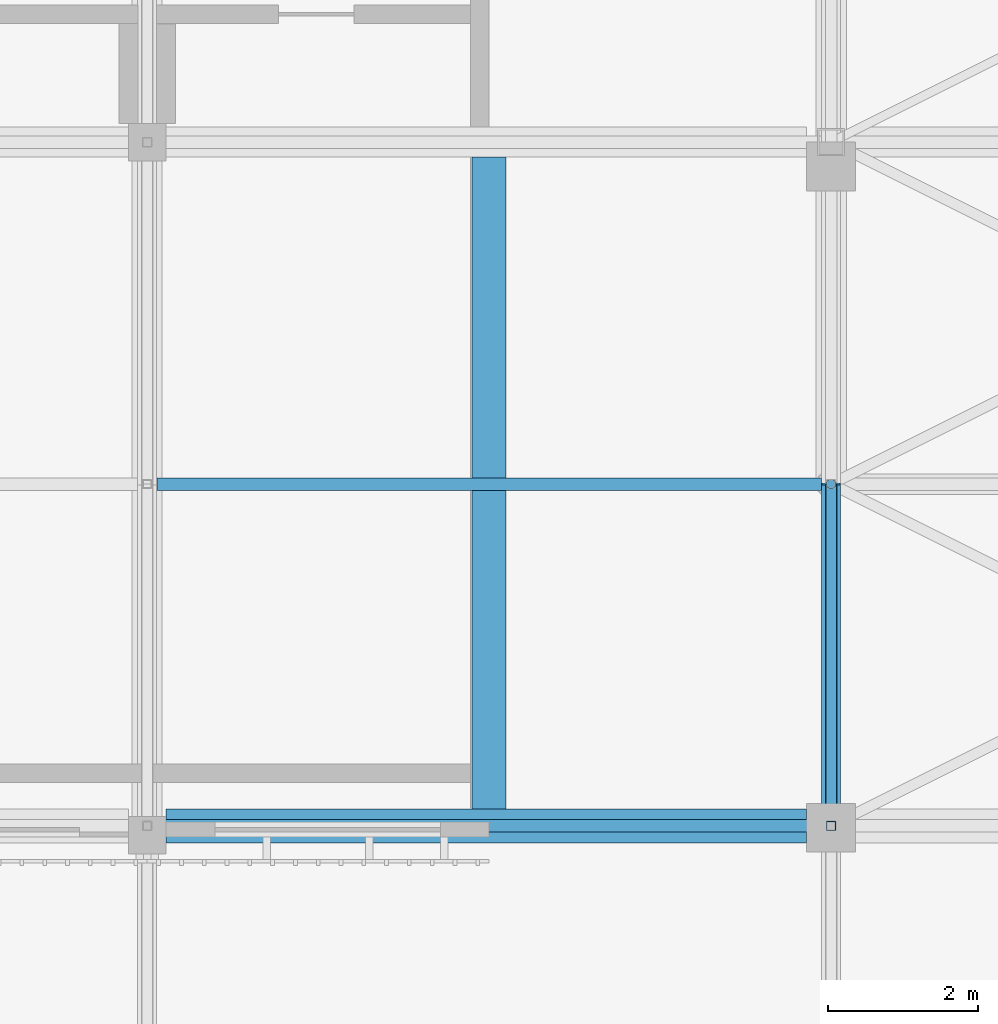
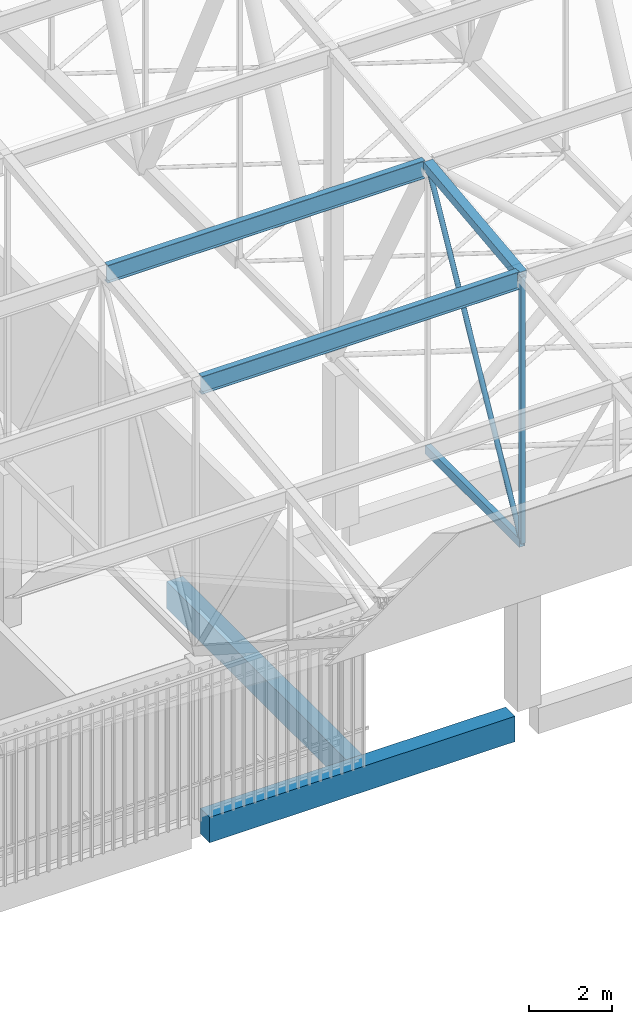
# One storey, part 34 of 500: 6 members, 2 beams.
"""IFC4 building model written with IfcOpenShell, lengths in metres."""

from ifc_helpers import new_model, si_unit, direction, frame, origin, origin_2d, place, context, subcontext, project, spatial, rectangle, hollow_rectangle, hollow_circle, i_section, extrude, material, material_profile, profile_set, type_object, element, save


model = new_model("IFC4")

# Units and contexts
model_context = context("Model", 3, precision=1e-05, world=origin(), true_north=direction((0.0, 1.0)))
body_context = subcontext(model_context, "Body", "Model", "MODEL_VIEW")
ifc_project = project(units=[si_unit("LENGTHUNIT", "METRE"), si_unit("AREAUNIT", "SQUARE_METRE"), si_unit("VOLUMEUNIT", "CUBIC_METRE"), si_unit("PLANEANGLEUNIT", "RADIAN"), si_unit("MASSUNIT", "GRAM", prefix="KILO")], contexts=[model_context])

# Site, building, storey
site_placement = place(None, origin())
site = spatial("IfcSite", under=ifc_project, at=site_placement, CompositionType="ELEMENT")
building_placement = place(site_placement, origin())
building = spatial("IfcBuilding", under=site, at=building_placement, Name="Shirokan Park Arena", CompositionType="ELEMENT")
storey_placement = place(building_placement, frame((0.0, 0.0, 29.1201171875)))
storey = spatial("IfcBuildingStorey", under=building, at=storey_placement, Name="L06", CompositionType="ELEMENT", Elevation=29.1201171875)

# Members
ifc_material_1 = material(Name="Steel ASTM A500 Grade C", Category="steel")
ifc_material_profile_1 = material_profile(ifc_material_1, hollow_rectangle(XDim=0.152099609375, YDim=0.25390625, WallThickness=0.009521484375, at=origin_2d()), Name="HSS254X152.4X9.5")
ifc_profile_set_1 = profile_set([ifc_material_profile_1], Name="Steel ASTM A500 Grade C")
member_type_1 = type_object("IfcMemberType", Name="Bottom chord HSS254X152.4X9.5", PredefinedType="CHORD", material=ifc_profile_set_1)
member_1_placement = place(storey_placement, frame((45.5, 0.0, 4.677001953125), z_axis=(0.0, 1.0, 0.0), x_axis=(-1.0, 0.0, 0.0)))
element("IfcMember", 1, at=member_1_placement, inside=storey, type_object=member_type_1, Name="Truss T06 bottom chord 3", PredefinedType="CHORD", context=body_context, shape_type="SweptSolid", body=[
    extrude(hollow_rectangle(XDim=0.152099609375, YDim=0.25390625, WallThickness=0.009521484375, at=origin_2d()), origin(), (0.0, 0.0, 1.0), 4.550048828125),
])
ifc_material_2 = material(Name="Steel ASTM A992", Category="steel")
ifc_material_profile_2 = material_profile(ifc_material_2, i_section(OverallWidth=0.166015625, OverallDepth=0.528076171875, WebThickness=0.009765625, FlangeThickness=0.013671875, at=origin_2d()), Name="W530X74")
ifc_profile_set_2 = profile_set([ifc_material_profile_2], Name="Steel ASTM A992")
member_type_2 = type_object("IfcMemberType", Name="Purlin W530X74", PredefinedType="PURLIN", material=ifc_profile_set_2)
for number, where, z_axis, x_axis, name in (
    (2, (36.527099609375, 0.0, 12.48583984375), (1.0, 0.0, 0.0), (0.0, 1.0, 0.0), "Purlin 3 bay 5"),
    (3, (36.527099609375, 4.550048828125, 13.005859375), (1.0, 0.0, 0.0), (0.0, 1.0, 0.0), "Purlin 4 bay 5"),
):
    element("IfcMember", number, at=place(storey_placement, frame(where, z_axis=z_axis, x_axis=x_axis)), inside=storey, type_object=member_type_2, Name=name, PredefinedType="PURLIN", context=body_context, shape_type="SweptSolid", body=[
        extrude(i_section(OverallWidth=0.166015625, OverallDepth=0.528076171875, WebThickness=0.009765625, FlangeThickness=0.013671875, at=origin_2d()), origin(), (0.0, 0.0, 1.0), 8.845947265625),
    ])

# Beams
ifc_material_3 = material(Name="Concrete C35", Category="concrete")
ifc_material_profile_3 = material_profile(ifc_material_3, rectangle(XDim=0.449951171875, YDim=0.800048828125, at=origin_2d()), Name="450x800")
ifc_profile_set_3 = profile_set([ifc_material_profile_3], Name="Concrete C35")
beam_type_1 = type_object("IfcBeamType", Name="RC edge beam 450x800", PredefinedType="BEAM", material=ifc_profile_set_3)
beam_1_placement = place(storey_placement, frame((40.949951171875, 0.22509765625, -0.60009765625), z_axis=(0.0, 1.0, 0.0), x_axis=(-1.0, 0.0, 0.0)))
element("IfcBeam", 4, at=beam_1_placement, inside=storey, type_object=beam_type_1, Name="Edge beam L06 L06-21", PredefinedType="BEAM", context=body_context, shape_type="SweptSolid", body=[
    extrude(rectangle(XDim=0.449951171875, YDim=0.800048828125, at=origin_2d()), origin(), (0.0, 0.0, 1.0), 8.6748046875),
])
ifc_material_profile_4 = material_profile(ifc_material_3, rectangle(XDim=0.449951171875, YDim=0.75, at=origin_2d()), Name="450x750")
ifc_profile_set_4 = profile_set([ifc_material_profile_4], Name="Concrete C35")
beam_type_2 = type_object("IfcBeamType", Name="RC girder 450x750", PredefinedType="BEAM", material=ifc_profile_set_4)
beam_2_placement = place(storey_placement, frame((36.650146484375, 0.0, -0.5751953125), z_axis=(1.0, 0.0, 0.0), x_axis=(0.0, 1.0, 0.0)))
element("IfcBeam", 5, at=beam_2_placement, inside=storey, type_object=beam_type_2, Name="Girder 5A-6A L06", PredefinedType="BEAM", context=body_context, shape_type="SweptSolid", body=[
    extrude(rectangle(XDim=0.449951171875, YDim=0.75, at=origin_2d()), origin(), (0.0, 0.0, 1.0), 8.524658203125),
])

# Members
ifc_material_profile_5 = material_profile(ifc_material_1, hollow_rectangle(XDim=0.25390625, YDim=0.25390625, WallThickness=0.009521484375, at=origin_2d()), Name="HSS254X254X9.5")
ifc_profile_set_5 = profile_set([ifc_material_profile_5], Name="Steel ASTM A500 Grade C")
member_type_3 = type_object("IfcMemberType", Name="Top chord HSS254X254X9.5", PredefinedType="CHORD", material=ifc_profile_set_5)
member_2_placement = place(storey_placement, frame((45.5, 0.0, 12.54150390625), z_axis=(0.0, 0.993538341779, 0.113496975353), x_axis=(-1.0, 0.0, 0.0)))
element("IfcMember", 6, at=member_2_placement, inside=storey, type_object=member_type_3, Name="Truss T06 top chord 3", PredefinedType="CHORD", context=body_context, shape_type="SweptSolid", body=[
    extrude(hollow_rectangle(XDim=0.25390625, YDim=0.25390625, WallThickness=0.009521484375, at=origin_2d()), origin(), (0.0, 0.0, 1.0), 4.57958984375),
])
ifc_material_profile_6 = material_profile(ifc_material_1, hollow_circle(Radius=0.070556640625, WallThickness=0.006591796875, at=origin_2d()), Name="HSS141.3X6.6")
ifc_profile_set_6 = profile_set([ifc_material_profile_6], Name="Steel ASTM A500 Grade C")
member_type_4 = type_object("IfcMemberType", Name="Truss diagonal HSS141.3X6.6", PredefinedType="BRACE", material=ifc_profile_set_6)
member_3_placement = place(storey_placement, frame((45.5, 0.0, 4.677001953125), z_axis=(0.0, 0.476977206611, 0.878915663971), x_axis=(-1.0, 0.0, 0.0)))
element("IfcMember", 7, at=member_3_placement, inside=storey, type_object=member_type_4, Name="Truss T06 diagonal 3", PredefinedType="BRACE", context=body_context, shape_type="SweptSolid", body=[
    extrude(hollow_circle(Radius=0.070556640625, WallThickness=0.006591796875, at=origin_2d()), origin(), (0.0, 0.0, 1.0), 9.539306640625),
])
ifc_material_profile_7 = material_profile(ifc_material_1, hollow_rectangle(XDim=0.126953125, YDim=0.126953125, WallThickness=0.0126953125, at=origin_2d()), Name="HSS127X127X12.7")
ifc_profile_set_7 = profile_set([ifc_material_profile_7], Name="Steel ASTM A500 Grade C")
member_type_5 = type_object("IfcMemberType", Name="Truss post HSS127X127X12.7", PredefinedType="POST", material=ifc_profile_set_7)
member_4_placement = place(storey_placement, frame((45.5, 0.0, 4.677001953125), z_axis=(0.0, 0.0, 1.0), x_axis=(1.0, 0.0, 0.0)))
element("IfcMember", 8, at=member_4_placement, inside=storey, type_object=member_type_5, Name="Truss T06 post 3", PredefinedType="POST", context=body_context, shape_type="SweptSolid", body=[
    extrude(hollow_rectangle(XDim=0.126953125, YDim=0.126953125, WallThickness=0.0126953125, at=origin_2d()), origin(), (0.0, 0.0, 1.0), 7.864501953125),
])

save(model, "model.ifc")
